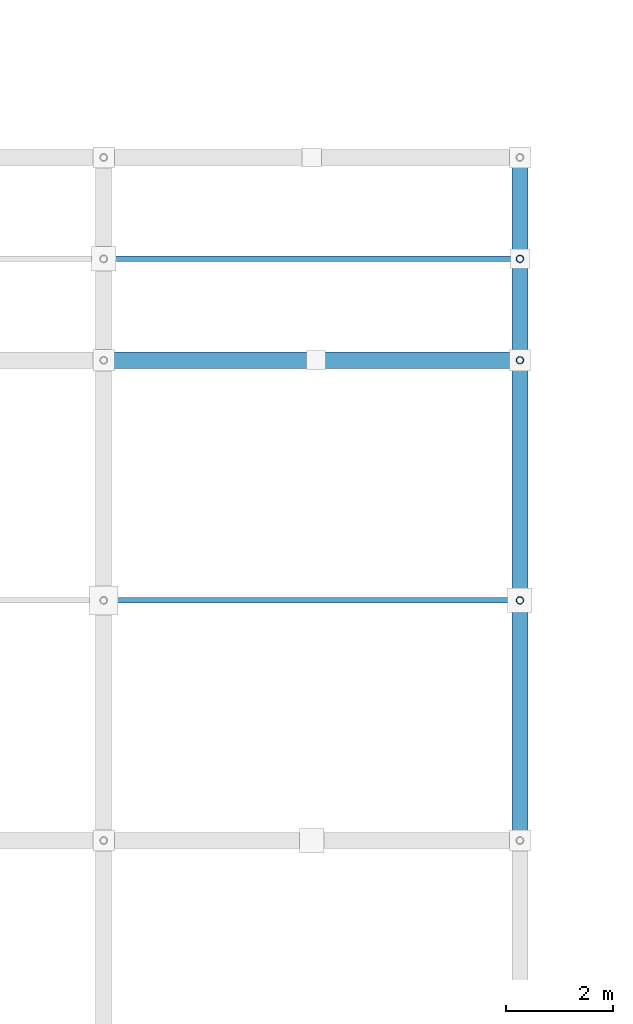
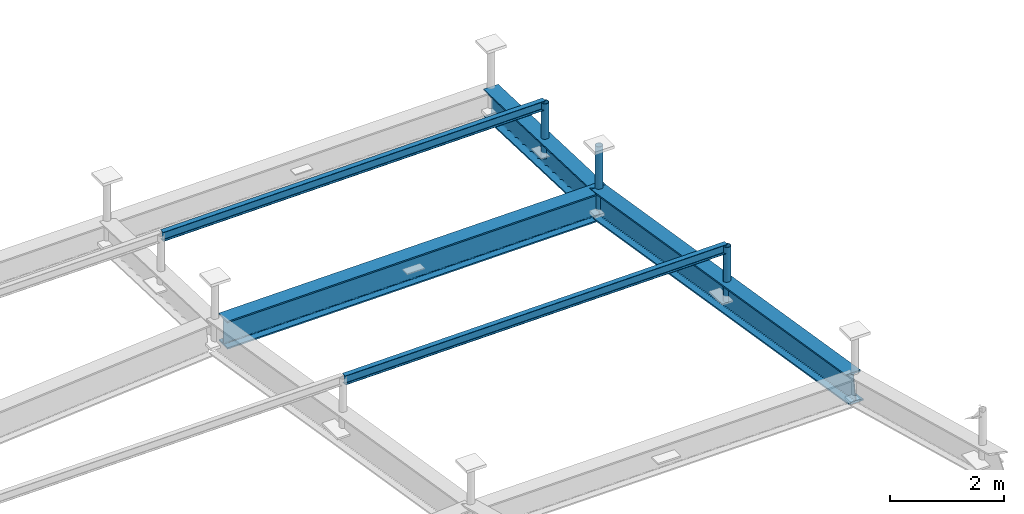
# One storey, part 59 of 80: 5 members, 3 beams.
"""IFC4 building model written with IfcOpenShell, lengths in metres."""

from ifc_helpers import new_model, si_unit, direction, frame, origin, origin_2d, place, context, subcontext, project, spatial, hollow_circle, i_section, extrude, material, material_profile, profile_set, type_object, element, save


model = new_model("IFC4")

# Units and contexts
model_context = context("Model", 3, precision=1e-05, world=origin(), true_north=direction((0.0, 1.0)))
body_context = subcontext(model_context, "Body", "Model", "MODEL_VIEW")
ifc_project = project(units=[si_unit("LENGTHUNIT", "METRE"), si_unit("AREAUNIT", "SQUARE_METRE"), si_unit("VOLUMEUNIT", "CUBIC_METRE"), si_unit("PLANEANGLEUNIT", "RADIAN"), si_unit("MASSUNIT", "GRAM", prefix="KILO")], contexts=[model_context])

# Site, building, storey
site_placement = place(None, origin())
site = spatial("IfcSite", under=ifc_project, at=site_placement, CompositionType="ELEMENT")
building_placement = place(site_placement, origin())
building = spatial("IfcBuilding", under=site, at=building_placement, Name="Barlavento Convention Centre", CompositionType="ELEMENT")
storey_placement = place(building_placement, frame((0.0, 0.0, 29.800048828125)))
storey = spatial("IfcBuildingStorey", under=building, at=storey_placement, Name="RF", CompositionType="ELEMENT", Elevation=29.800048828125)

# Beams
ifc_material = material(Name="Steel S355", Category="steel")
ifc_material_profile_1 = material_profile(ifc_material, i_section(OverallWidth=0.300048828125, OverallDepth=0.60009765625, WebThickness=0.015380859375, FlangeThickness=0.030029296875, FilletRadius=0.027099609375, at=origin_2d()), Name="HEB 600")
ifc_profile_set_1 = profile_set([ifc_material_profile_1], Name="Steel S355")
beam_type = type_object("IfcBeamType", Name="STR-BM-CANT-HEB600", PredefinedType="BEAM", material=ifc_profile_set_1)
beam_1_placement = place(storey_placement, frame((63.1650390625, 54.0, -4.771728515625), z_axis=(0.999894962991, 0.0, 0.014493549796), x_axis=(0.0, 1.0, 0.0)))
element("IfcBeam", 1, at=beam_1_placement, inside=storey, type_object=beam_type, Name="Congress roof truss space frame chord", PredefinedType="BEAM", context=body_context, shape_type="SweptSolid", body=[
    extrude(i_section(OverallWidth=0.300048828125, OverallDepth=0.60009765625, WebThickness=0.015380859375, FlangeThickness=0.030029296875, FilletRadius=0.027099609375, at=origin_2d()), origin(), (0.0, 0.0, 1.0), 7.630615234375),
])
beam_2_placement = place(storey_placement, frame((70.800048828125, 45.0048828125, -3.199951171875), z_axis=(0.0, 0.987048066171, -0.160424795678), x_axis=(-1.0, 0.0, 0.0)))
element("IfcBeam", 2, at=beam_2_placement, inside=storey, type_object=beam_type, Name="Congress roof truss space frame chord", PredefinedType="BEAM", context=body_context, shape_type="SweptSolid", body=[
    extrude(i_section(OverallWidth=0.300048828125, OverallDepth=0.60009765625, WebThickness=0.015380859375, FlangeThickness=0.030029296875, FilletRadius=0.027099609375, at=origin_2d()), origin(), (0.0, 0.0, 1.0), 9.108154296875),
])
beam_3_placement = place(storey_placement, frame((70.800048828125, 54.0048828125, -4.6611328125), z_axis=(0.0, 0.999328957614, -0.036628328838), x_axis=(-1.0, 0.0, 0.0)))
element("IfcBeam", 3, at=beam_3_placement, inside=storey, type_object=beam_type, Name="Congress roof truss space frame chord", PredefinedType="BEAM", context=body_context, shape_type="SweptSolid", body=[
    extrude(i_section(OverallWidth=0.300048828125, OverallDepth=0.60009765625, WebThickness=0.015380859375, FlangeThickness=0.030029296875, FilletRadius=0.027099609375, at=origin_2d()), origin(), (0.0, 0.0, 1.0), 3.79248046875),
])

# Members
ifc_material_profile_2 = material_profile(ifc_material, hollow_circle(Radius=0.06982421875, WallThickness=0.008056640625, at=origin_2d()), Name="CHS 139.7x8.0")
ifc_profile_set_2 = profile_set([ifc_material_profile_2], Name="Steel S355")
member_type_1 = type_object("IfcMemberType", Name="STR-MEM-DIAG-CHS139", PredefinedType="BRACE", material=ifc_profile_set_2)
member_1_placement = place(storey_placement, frame((70.800048828125, 54.0, -4.81103515625), z_axis=(0.0, 0.0, 1.0), x_axis=(1.0, 0.0, 0.0)))
element("IfcMember", 4, at=member_1_placement, inside=storey, type_object=member_type_1, Name="Congress space frame vertical node post TD04", PredefinedType="BRACE", context=body_context, shape_type="SweptSolid", body=[
    extrude(hollow_circle(Radius=0.06982421875, WallThickness=0.008056640625, at=origin_2d()), origin(), (0.0, 0.0, 1.0), 1.369873046875),
])
member_2_placement = place(storey_placement, frame((70.800048828125, 49.5, -4.050537109375), z_axis=(0.0, 0.0, 1.0), x_axis=(1.0, 0.0, 0.0)))
element("IfcMember", 5, at=member_2_placement, inside=storey, type_object=member_type_1, Name="Congress space frame vertical node post TD04", PredefinedType="BRACE", context=body_context, shape_type="SweptSolid", body=[
    extrude(hollow_circle(Radius=0.06982421875, WallThickness=0.008056640625, at=origin_2d()), origin(), (0.0, 0.0, 1.0), 1.179931640625),
])
member_3_placement = place(storey_placement, frame((70.800048828125, 55.89990234375, -4.8505859375), z_axis=(0.0, 0.0, 1.0), x_axis=(1.0, 0.0, 0.0)))
element("IfcMember", 6, at=member_3_placement, inside=storey, type_object=member_type_1, Name="Congress space frame vertical node post TD04", PredefinedType="BRACE", context=body_context, shape_type="SweptSolid", body=[
    extrude(hollow_circle(Radius=0.06982421875, WallThickness=0.008056640625, at=origin_2d()), origin(), (0.0, 0.0, 1.0), 1.18115234375),
])
ifc_material_profile_3 = material_profile(ifc_material, i_section(OverallWidth=0.10009765625, OverallDepth=0.199951171875, WebThickness=0.005615234375, FlangeThickness=0.008544921875, FilletRadius=0.011962890625, at=origin_2d()), Name="IPE 200")
ifc_profile_set_3 = profile_set([ifc_material_profile_3], Name="Steel S355")
member_type_2 = type_object("IfcMemberType", Name="STR-MEM-PUR-IPE200", PredefinedType="PURLIN", material=ifc_profile_set_3)
for number, where, z_axis, x_axis, name in (
    (7, (63.02001953125, 49.5, -3.023681640625), (0.999893923679, 0.0, 0.014565074301), (0.0, 1.0, 0.0), "Congress roof intermediate purlin PR01"),
    (8, (63.02001953125, 55.89990234375, -3.82177734375), (0.99989529365, 0.0, 0.014470719996), (0.0, 1.0, 0.0), "Congress roof intermediate purlin PR01"),
):
    element("IfcMember", number, at=place(storey_placement, frame(where, z_axis=z_axis, x_axis=x_axis)), inside=storey, type_object=member_type_2, Name=name, PredefinedType="PURLIN", context=body_context, shape_type="SweptSolid", body=[
        extrude(i_section(OverallWidth=0.10009765625, OverallDepth=0.199951171875, WebThickness=0.005615234375, FlangeThickness=0.008544921875, FilletRadius=0.011962890625, at=origin_2d()), origin(), (0.0, 0.0, 1.0), 7.7607421875),
    ])

save(model, "model.ifc")
